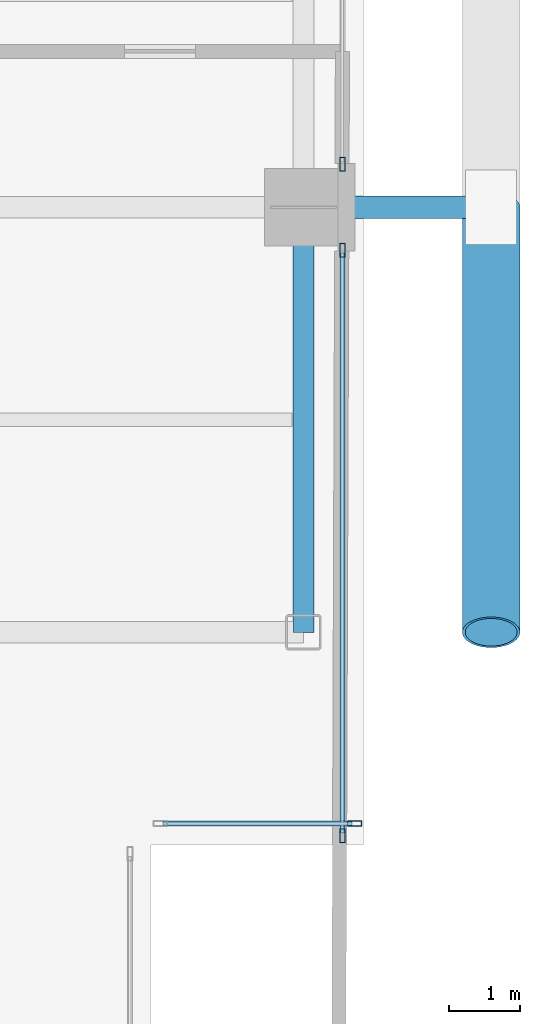
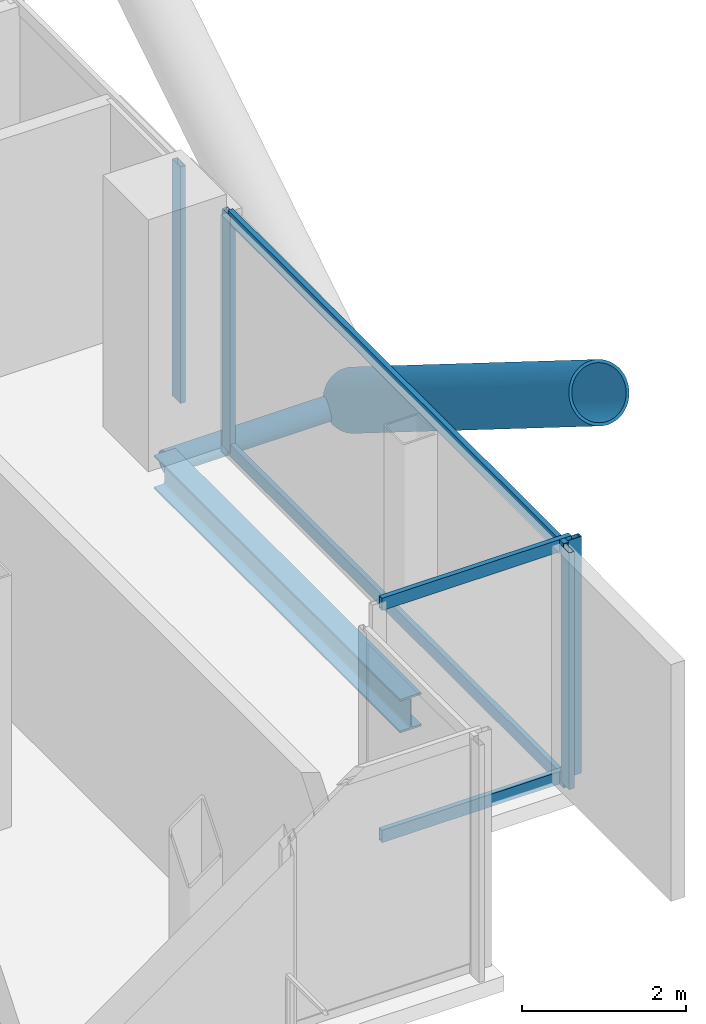
# One storey, part 12 of 28: 10 members, 1 beam, 3 elements without a shape of their own.
"""IFC4 building model written with IfcOpenShell, lengths in metres."""

from ifc_helpers import new_model, si_unit, direction, frame, origin, origin_2d, place, context, subcontext, project, spatial, hollow_rectangle, hollow_circle, i_section, extrude, material, layer, layer_set, material_profile, profile_set, type_object, element, aggregate, save


model = new_model("IFC4")

# Units and contexts
model_context = context("Model", 3, precision=1e-05, world=origin(), true_north=direction((0.0, 1.0)))
body_context = subcontext(model_context, "Body", "Model", "MODEL_VIEW")
ifc_project = project(units=[si_unit("LENGTHUNIT", "METRE"), si_unit("AREAUNIT", "SQUARE_METRE"), si_unit("VOLUMEUNIT", "CUBIC_METRE"), si_unit("PLANEANGLEUNIT", "RADIAN"), si_unit("MASSUNIT", "GRAM", prefix="KILO"), si_unit("THERMODYNAMICTEMPERATUREUNIT", "KELVIN"), si_unit("POWERUNIT", "WATT")], contexts=[model_context])

# Site, building, storey
site_placement = place(None, origin())
site = spatial("IfcSite", under=ifc_project, at=site_placement, CompositionType="ELEMENT")
building_placement = place(site_placement, origin())
building = spatial("IfcBuilding", under=site, at=building_placement, Name="Svarakhadi Broadcast Tower", CompositionType="ELEMENT")
storey_placement = place(building_placement, frame((0.0, 0.0, 123.14990234375)))
storey = spatial("IfcBuildingStorey", under=building, at=storey_placement, Name="L29", CompositionType="ELEMENT", Elevation=123.14990234375)

# Curtain wall, member
ifc_material_1 = material(Name="Anodised Bronze Aluminium AA 6063-T6", Category="aluminium")
ifc_layer = layer(ifc_material_1, 0.199951171875)
ifc_layer_set = layer_set([ifc_layer], Name="Anodised Bronze Aluminium AA 6063-T6")
curtain_wall_type = type_object("IfcCurtainWallType", Name="CW_Sys_03", PredefinedType="NOTDEFINED", material=ifc_layer_set)
curtain_wall_1_placement = place(storey_placement, origin())
curtain_wall_1 = element("IfcCurtainWall", 1, at=curtain_wall_1_placement, inside=storey, type_object=curtain_wall_type, Name="L29 Unitised Facade Curtain Wall 13 Bay 1", PredefinedType="NOTDEFINED")
ifc_material_profile_1 = material_profile(ifc_material_1, hollow_rectangle(XDim=0.074951171875, YDim=0.199951171875, WallThickness=0.005615234375, at=origin_2d()), Name="ALU MULLION 200x75x6")
ifc_profile_set_1 = profile_set([ifc_material_profile_1], Name="Anodised Bronze Aluminium AA 6063-T6")
member_type_1 = type_object("IfcMemberType", Name="CW_Sys_03_Mul", PredefinedType="MULLION", material=ifc_profile_set_1)
member_1_placement = place(storey_placement, frame((47.699951171875, 12.607421875, 0.0), z_axis=(0.0, 0.0, 1.0), x_axis=(1.0, 0.0, 0.0)))
member_1 = element("IfcMember", 2, at=member_1_placement, type_object=member_type_1, Name="CW-03 mullion 2", PredefinedType="MULLION", context=body_context, shape_type="SweptSolid", body=[
    extrude(hollow_rectangle(XDim=0.074951171875, YDim=0.199951171875, WallThickness=0.005615234375, at=origin_2d()), origin(), (0.0, 0.0, 1.0), 3.525146484375),
])
aggregate(curtain_wall_1, [member_1])

# Curtain wall, members
curtain_wall_2_placement = place(storey_placement, origin())
curtain_wall_2 = element("IfcCurtainWall", 3, at=curtain_wall_2_placement, inside=storey, type_object=curtain_wall_type, Name="L29 Unitised Facade Curtain Wall 13 Bay 2", PredefinedType="NOTDEFINED")
member_2_placement = place(storey_placement, frame((47.699951171875, 11.392578125, 0.0), z_axis=(0.0, 0.0, 1.0), x_axis=(1.0, 0.0, 0.0)))
member_2 = element("IfcMember", 4, at=member_2_placement, type_object=member_type_1, Name="CW-03 mullion 1", PredefinedType="MULLION", context=body_context, shape_type="SweptSolid", body=[
    extrude(hollow_rectangle(XDim=0.074951171875, YDim=0.199951171875, WallThickness=0.005615234375, at=origin_2d()), origin(), (0.0, 0.0, 1.0), 3.525146484375),
])
member_3_placement = place(storey_placement, frame((47.699951171875, 3.12744140625, 0.0), z_axis=(0.0, 0.0, 1.0), x_axis=(1.0, 0.0, 0.0)))
member_3 = element("IfcMember", 5, at=member_3_placement, type_object=member_type_1, Name="CW-03 mullion 2", PredefinedType="MULLION", context=body_context, shape_type="SweptSolid", body=[
    extrude(hollow_rectangle(XDim=0.074951171875, YDim=0.199951171875, WallThickness=0.005615234375, at=origin_2d()), origin(), (0.0, 0.0, 1.0), 3.525146484375),
])

# Curtain wall, member
curtain_wall_3_placement = place(storey_placement, origin())
curtain_wall_3 = element("IfcCurtainWall", 6, at=curtain_wall_3_placement, inside=storey, type_object=curtain_wall_type, Name="L29 Unitised Facade Curtain Wall 14", PredefinedType="NOTDEFINED")
member_4_placement = place(storey_placement, frame((47.87255859375, 3.300048828125, 0.0), z_axis=(0.0, 0.0, 1.0), x_axis=(0.0, -1.0, 0.0)))
member_4 = element("IfcMember", 7, at=member_4_placement, type_object=member_type_1, Name="CW-03 mullion 1", PredefinedType="MULLION", context=body_context, shape_type="SweptSolid", body=[
    extrude(hollow_rectangle(XDim=0.074951171875, YDim=0.199951171875, WallThickness=0.005615234375, at=origin_2d()), origin(), (0.0, 0.0, 1.0), 3.525146484375),
])

# Member
ifc_material_profile_2 = material_profile(ifc_material_1, hollow_rectangle(XDim=0.070068359375, YDim=0.18505859375, WallThickness=0.0048828125, at=origin_2d()), Name="ALU TRANSOM 185x70x5")
ifc_profile_set_2 = profile_set([ifc_material_profile_2], Name="Anodised Bronze Aluminium AA 6063-T6")
member_type_2 = type_object("IfcMemberType", Name="CW_Sys_03_Trn", PredefinedType="USERDEFINED", material=ifc_profile_set_2)
member_5_placement = place(storey_placement, frame((47.699951171875, 11.35498046875, 0.03515625), z_axis=(0.0, -1.0, 0.0), x_axis=(1.0, 0.0, 0.0)))
member_5 = element("IfcMember", 8, at=member_5_placement, type_object=member_type_2, Name="CW-03 transom 1.1", ObjectType="TRANSOM", PredefinedType="USERDEFINED", context=body_context, shape_type="SweptSolid", body=[
    extrude(hollow_rectangle(XDim=0.070068359375, YDim=0.18505859375, WallThickness=0.0048828125, at=origin_2d()), origin(), (0.0, 0.0, 1.0), 8.18994140625),
])

member_6_placement = place(storey_placement, frame((47.699951171875, 11.35498046875, 3.489990234375), z_axis=(0.0, -1.0, 0.0), x_axis=(1.0, 0.0, 0.0)))
member_6 = element("IfcMember", 9, at=member_6_placement, type_object=member_type_2, Name="CW-03 transom 1.2", ObjectType="TRANSOM", PredefinedType="USERDEFINED", context=body_context, shape_type="SweptSolid", body=[
    extrude(hollow_rectangle(XDim=0.070068359375, YDim=0.18505859375, WallThickness=0.0048828125, at=origin_2d()), origin(), (0.0, 0.0, 1.0), 8.18994140625),
])

aggregate(curtain_wall_2, [member_2, member_3, member_5, member_6])

member_7_placement = place(storey_placement, frame((47.8349609375, 3.300048828125, 0.03515625), z_axis=(-1.0, 0.0, 0.0), x_axis=(0.0, -1.0, 0.0)))
member_7 = element("IfcMember", 10, at=member_7_placement, type_object=member_type_2, Name="CW-03 transom 1.1", ObjectType="TRANSOM", PredefinedType="USERDEFINED", context=body_context, shape_type="SweptSolid", body=[
    extrude(hollow_rectangle(XDim=0.070068359375, YDim=0.18505859375, WallThickness=0.0048828125, at=origin_2d()), origin(), (0.0, 0.0, 1.0), 2.669921875),
])

member_8_placement = place(storey_placement, frame((47.8349609375, 3.300048828125, 3.489990234375), z_axis=(-1.0, 0.0, 0.0), x_axis=(0.0, -1.0, 0.0)))
member_8 = element("IfcMember", 11, at=member_8_placement, type_object=member_type_2, Name="CW-03 transom 1.2", ObjectType="TRANSOM", PredefinedType="USERDEFINED", context=body_context, shape_type="SweptSolid", body=[
    extrude(hollow_rectangle(XDim=0.070068359375, YDim=0.18505859375, WallThickness=0.0048828125, at=origin_2d()), origin(), (0.0, 0.0, 1.0), 2.669921875),
])

aggregate(curtain_wall_3, [member_4, member_7, member_8])

# Members
ifc_material_2 = material(Name="Steel S460ML (IS 2062 E450BR)", Category="steel")
ifc_material_profile_3 = material_profile(ifc_material_2, hollow_circle(Radius=0.406494140625, WallThickness=0.0400390625, at=origin_2d()), Name="CHS 813x40")
ifc_profile_set_3 = profile_set([ifc_material_profile_3], Name="Steel S460ML (IS 2062 E450BR)")
member_type_3 = type_object("IfcMemberType", Name="Exo_Brace_CHS813", PredefinedType="BRACE", material=ifc_profile_set_3)
member_9_placement = place(storey_placement, frame((49.800048828125, 12.0, -0.386962890625), z_axis=(0.0, -0.847998304005, 0.529998940003), x_axis=(1.0, 0.0, 0.0)))
element("IfcMember", 12, at=member_9_placement, inside=storey, type_object=member_type_3, Name="L29 Exposed Bronze Exoskeleton Diagonal E08", PredefinedType="BRACE", context=body_context, shape_type="SweptSolid", body=[
    extrude(hollow_circle(Radius=0.406494140625, WallThickness=0.0400390625, at=origin_2d()), origin(), (0.0, 0.0, 1.0), 7.075439453125),
])
ifc_material_profile_4 = material_profile(ifc_material_2, hollow_circle(Radius=0.161865234375, WallThickness=0.01611328125, at=origin_2d()), Name="CHS 323.9x16")
ifc_profile_set_4 = profile_set([ifc_material_profile_4], Name="Steel S460ML (IS 2062 E450BR)")
member_type_4 = type_object("IfcMemberType", Name="Exo_Radial_Strut_Z2", PredefinedType="STRUT", material=ifc_profile_set_4)
member_10_placement = place(storey_placement, frame((49.800048828125, 12.0, -0.386962890625), z_axis=(-1.0, 0.0, 0.0), x_axis=(0.0, -1.0, 0.0)))
element("IfcMember", 13, at=member_10_placement, inside=storey, type_object=member_type_4, Name="L29 Exoskeleton Radial Tie Strut E05", PredefinedType="STRUT", context=body_context, shape_type="SweptSolid", body=[
    extrude(hollow_circle(Radius=0.161865234375, WallThickness=0.01611328125, at=origin_2d()), origin(), (0.0, 0.0, 1.0), 2.650146484375),
])

# Beam
ifc_material_3 = material(Name="Steel S355J2 (IS 2062 E350C)", Category="steel")
ifc_material_profile_5 = material_profile(ifc_material_3, i_section(OverallWidth=0.300048828125, OverallDepth=0.5, WebThickness=0.014404296875, FlangeThickness=0.028076171875, FilletRadius=0.027099609375, at=origin_2d()), Name="WPB 500x300x187")
ifc_profile_set_5 = profile_set([ifc_material_profile_5], Name="Steel S355J2 (IS 2062 E350C)")
beam_type = type_object("IfcBeamType", Name="Girder_WPB500", PredefinedType="USERDEFINED", material=ifc_profile_set_5)
beam_placement = place(storey_placement, frame((47.14990234375, 6.0, -0.474853515625), z_axis=(0.0, 1.0, 0.0), x_axis=(-1.0, 0.0, 0.0)))
element("IfcBeam", 14, at=beam_placement, inside=storey, type_object=beam_type, Name="L29 Primary N-S Girder G073", ObjectType="GIRDER", PredefinedType="USERDEFINED", context=body_context, shape_type="SweptSolid", body=[
    extrude(i_section(OverallWidth=0.300048828125, OverallDepth=0.5, WebThickness=0.014404296875, FlangeThickness=0.028076171875, FilletRadius=0.027099609375, at=origin_2d()), origin(), (0.0, 0.0, 1.0), 6.0),
])

save(model, "model.ifc")
